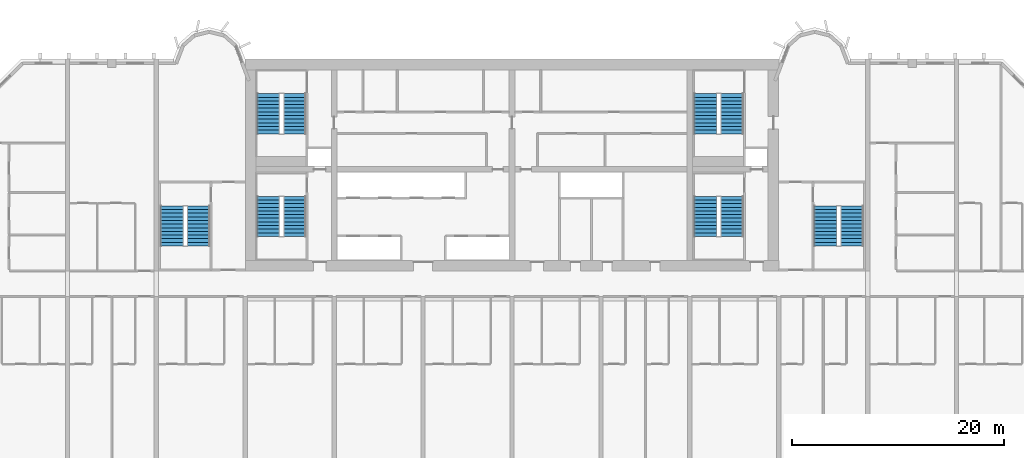
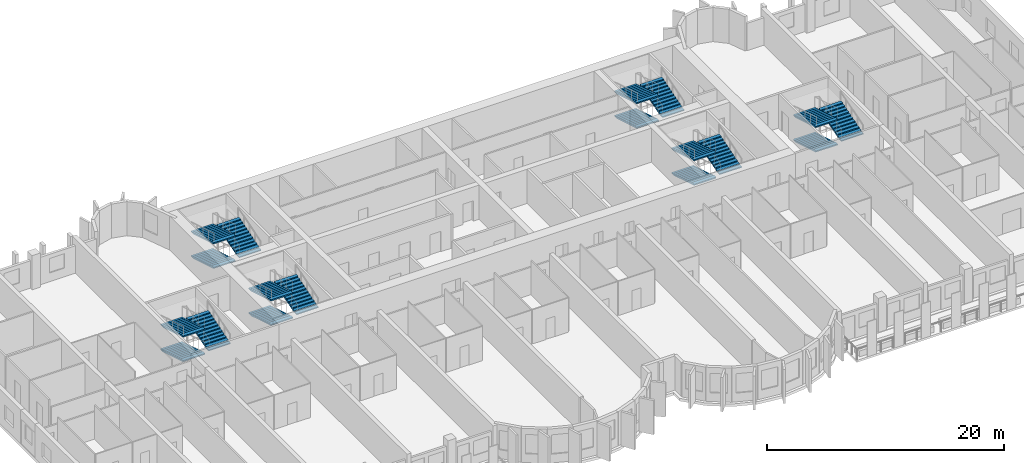
# One storey, part 12 of 15: 18 stair flights, 6 elements without a shape of their own.
"""IFC4 building model written with IfcOpenShell, lengths in metres."""

from ifc_helpers import new_model, si_unit, direction, frame, origin, place, context, subcontext, project, spatial, polyline, outline, extrude, source, transform, mapped, material, type_object, element, aggregate, save


model = new_model("IFC4")

# Units and contexts
model_context = context("Model", 3, precision=1e-05, world=origin(), true_north=direction((0.0, 1.0)))
body_context = subcontext(model_context, "Body", "Model", "MODEL_VIEW")
ifc_project = project(units=[si_unit("LENGTHUNIT", "METRE"), si_unit("AREAUNIT", "SQUARE_METRE"), si_unit("VOLUMEUNIT", "CUBIC_METRE"), si_unit("PLANEANGLEUNIT", "RADIAN"), si_unit("MASSUNIT", "GRAM", prefix="KILO")], contexts=[model_context])

# Site, building, storey
site_placement = place(None, origin())
site = spatial("IfcSite", under=ifc_project, at=site_placement, CompositionType="ELEMENT")
building_placement = place(site_placement, origin())
building = spatial("IfcBuilding", under=site, at=building_placement, Name="Vanashikhar Sky Hotel", CompositionType="ELEMENT")
storey_placement = place(building_placement, frame((0.0, 0.0, 46.800048828125)))
storey = spatial("IfcBuildingStorey", under=building, at=storey_placement, Name="L10", CompositionType="ELEMENT", Elevation=46.800048828125)

# Stair, stair flights
ifc_material = material(Name="Concrete M40", Category="concrete")
stair_type = type_object("IfcStairType", Name="Exit stair 2150", PredefinedType="DOUBLE_RETURN_STAIR", material=ifc_material)
stair_1_placement = place(storey_placement, origin())
stair_1 = element("IfcStair", 1, at=stair_1_placement, inside=storey, type_object=stair_type, Name="L10 Exit stair 1", PredefinedType="DOUBLE_RETURN_STAIR")
stair_flight_type = type_object("IfcStairFlightType", Name="Stair flight 2150", PredefinedType="STRAIGHT", material=ifc_material)
shared_shape = source(origin(), body_context, "Body", "SweptSolid", [
    extrude(outline(polyline([(0.0, 0.0), (0.0, 0.10546875), (0.345458984375, 0.10546875), (0.345458984375, 0.211181640625), (0.69091796875, 0.211181640625), (0.69091796875, 0.316650390625), (1.036376953125, 0.316650390625), (1.036376953125, 0.422119140625), (1.3818359375, 0.422119140625), (1.3818359375, 0.52783203125), (1.727294921875, 0.52783203125), (1.727294921875, 0.63330078125), (2.07275390625, 0.63330078125), (2.07275390625, 0.73876953125), (2.418212890625, 0.73876953125), (2.418212890625, 0.844482421875), (2.763671875, 0.844482421875), (2.763671875, 0.949951171875), (3.109130859375, 0.949951171875), (3.109130859375, 1.0556640625), (3.45458984375, 1.0556640625), (3.45458984375, 1.1611328125), (3.800048828125, 1.1611328125), (3.800048828125, 1.2666015625), (3.800048828125, 1.035400390625), (0.4111328125, 0.0), (0.0, 0.0)])), frame((0.0, 1.074951171875, 0.0), z_axis=(0.0, -1.0, 0.0), x_axis=(1.0, 0.0, 0.0)), (0.0, 0.0, 1.0), 2.14990234375),
])
stair_flight_1_placement = place(storey_placement, frame((27.375, 29.050048828125, 0.0), z_axis=(0.0, 0.0, 1.0), x_axis=(0.0, -1.0, 0.0)))
stair_flight_1 = element("IfcStairFlight", 2, at=stair_flight_1_placement, type_object=stair_flight_type, Name="ST-C1 flight 1", NumberOfRisers=12, NumberOfTreads=11, PredefinedType="STRAIGHT", RiserHeight=0.105555556, TreadLength=0.345454545, context=body_context, shape_type="MappedRepresentation", body=[
    mapped(shared_shape, transform((0.0, 0.0, 0.0), scale=1.0)),
])
stair_flight_2_placement = place(storey_placement, frame((29.875, 25.25, 1.2666015625), z_axis=(0.0, 0.0, 1.0), x_axis=(0.0, 1.0, 0.0)))
stair_flight_2 = element("IfcStairFlight", 3, at=stair_flight_2_placement, type_object=stair_flight_type, Name="ST-C1 flight 2", NumberOfRisers=12, NumberOfTreads=11, PredefinedType="STRAIGHT", RiserHeight=0.105555556, TreadLength=0.345454545, context=body_context, shape_type="MappedRepresentation", body=[
    mapped(shared_shape, transform((0.0, 0.0, 0.0), scale=1.0)),
])
stair_flight_3_placement = place(storey_placement, frame((27.375, 29.050048828125, 2.533203125), z_axis=(0.0, 0.0, 1.0), x_axis=(0.0, -1.0, 0.0)))
stair_flight_3 = element("IfcStairFlight", 4, at=stair_flight_3_placement, type_object=stair_flight_type, Name="ST-C1 flight 3", NumberOfRisers=12, NumberOfTreads=11, PredefinedType="STRAIGHT", RiserHeight=0.105555556, TreadLength=0.345454545, context=body_context, shape_type="MappedRepresentation", body=[
    mapped(shared_shape, transform((0.0, 0.0, 0.0), scale=1.0)),
])
aggregate(stair_1, [stair_flight_1, stair_flight_2, stair_flight_3])

stair_2_placement = place(storey_placement, origin())
stair_2 = element("IfcStair", 5, at=stair_2_placement, inside=storey, type_object=stair_type, Name="L10 Exit stair 2", PredefinedType="DOUBLE_RETURN_STAIR")
stair_flight_4_placement = place(storey_placement, frame((68.675048828125, 29.050048828125, 0.0), z_axis=(0.0, 0.0, 1.0), x_axis=(0.0, -1.0, 0.0)))
stair_flight_4 = element("IfcStairFlight", 6, at=stair_flight_4_placement, type_object=stair_flight_type, Name="ST-C2 flight 1", NumberOfRisers=12, NumberOfTreads=11, PredefinedType="STRAIGHT", RiserHeight=0.105555556, TreadLength=0.345454545, context=body_context, shape_type="MappedRepresentation", body=[
    mapped(shared_shape, transform((0.0, 0.0, 0.0), scale=1.0)),
])
stair_flight_5_placement = place(storey_placement, frame((71.175048828125, 25.25, 1.2666015625), z_axis=(0.0, 0.0, 1.0), x_axis=(0.0, 1.0, 0.0)))
stair_flight_5 = element("IfcStairFlight", 7, at=stair_flight_5_placement, type_object=stair_flight_type, Name="ST-C2 flight 2", NumberOfRisers=12, NumberOfTreads=11, PredefinedType="STRAIGHT", RiserHeight=0.105555556, TreadLength=0.345454545, context=body_context, shape_type="MappedRepresentation", body=[
    mapped(shared_shape, transform((0.0, 0.0, 0.0), scale=1.0)),
])
stair_flight_6_placement = place(storey_placement, frame((68.675048828125, 29.050048828125, 2.533203125), z_axis=(0.0, 0.0, 1.0), x_axis=(0.0, -1.0, 0.0)))
stair_flight_6 = element("IfcStairFlight", 8, at=stair_flight_6_placement, type_object=stair_flight_type, Name="ST-C2 flight 3", NumberOfRisers=12, NumberOfTreads=11, PredefinedType="STRAIGHT", RiserHeight=0.105555556, TreadLength=0.345454545, context=body_context, shape_type="MappedRepresentation", body=[
    mapped(shared_shape, transform((0.0, 0.0, 0.0), scale=1.0)),
])
aggregate(stair_2, [stair_flight_4, stair_flight_5, stair_flight_6])

stair_3_placement = place(storey_placement, origin())
stair_3 = element("IfcStair", 9, at=stair_3_placement, inside=storey, type_object=stair_type, Name="L10 Exit stair 3", PredefinedType="DOUBLE_RETURN_STAIR")
stair_flight_7_placement = place(storey_placement, frame((18.27490234375, 28.14990234375, 0.0), z_axis=(0.0, 0.0, 1.0), x_axis=(0.0, -1.0, 0.0)))
stair_flight_7 = element("IfcStairFlight", 10, at=stair_flight_7_placement, type_object=stair_flight_type, Name="ST-W flight 1", NumberOfRisers=12, NumberOfTreads=11, PredefinedType="STRAIGHT", RiserHeight=0.105555556, TreadLength=0.345454545, context=body_context, shape_type="MappedRepresentation", body=[
    mapped(shared_shape, transform((0.0, 0.0, 0.0), scale=1.0)),
])
stair_flight_8_placement = place(storey_placement, frame((20.77490234375, 24.35009765625, 1.2666015625), z_axis=(0.0, 0.0, 1.0), x_axis=(0.0, 1.0, 0.0)))
stair_flight_8 = element("IfcStairFlight", 11, at=stair_flight_8_placement, type_object=stair_flight_type, Name="ST-W flight 2", NumberOfRisers=12, NumberOfTreads=11, PredefinedType="STRAIGHT", RiserHeight=0.105555556, TreadLength=0.345454545, context=body_context, shape_type="MappedRepresentation", body=[
    mapped(shared_shape, transform((0.0, 0.0, 0.0), scale=1.0)),
])
stair_flight_9_placement = place(storey_placement, frame((18.27490234375, 28.14990234375, 2.533203125), z_axis=(0.0, 0.0, 1.0), x_axis=(0.0, -1.0, 0.0)))
stair_flight_9 = element("IfcStairFlight", 12, at=stair_flight_9_placement, type_object=stair_flight_type, Name="ST-W flight 3", NumberOfRisers=12, NumberOfTreads=11, PredefinedType="STRAIGHT", RiserHeight=0.105555556, TreadLength=0.345454545, context=body_context, shape_type="MappedRepresentation", body=[
    mapped(shared_shape, transform((0.0, 0.0, 0.0), scale=1.0)),
])
aggregate(stair_3, [stair_flight_7, stair_flight_8, stair_flight_9])

stair_4_placement = place(storey_placement, origin())
stair_4 = element("IfcStair", 13, at=stair_4_placement, inside=storey, type_object=stair_type, Name="L10 Exit stair 4", PredefinedType="DOUBLE_RETURN_STAIR")
stair_flight_10_placement = place(storey_placement, frame((80.02490234375, 28.14990234375, 0.0), z_axis=(0.0, 0.0, 1.0), x_axis=(0.0, -1.0, 0.0)))
stair_flight_10 = element("IfcStairFlight", 14, at=stair_flight_10_placement, type_object=stair_flight_type, Name="ST-E flight 1", NumberOfRisers=12, NumberOfTreads=11, PredefinedType="STRAIGHT", RiserHeight=0.105555556, TreadLength=0.345454545, context=body_context, shape_type="MappedRepresentation", body=[
    mapped(shared_shape, transform((0.0, 0.0, 0.0), scale=1.0)),
])
stair_flight_11_placement = place(storey_placement, frame((82.52490234375, 24.35009765625, 1.2666015625), z_axis=(0.0, 0.0, 1.0), x_axis=(0.0, 1.0, 0.0)))
stair_flight_11 = element("IfcStairFlight", 15, at=stair_flight_11_placement, type_object=stair_flight_type, Name="ST-E flight 2", NumberOfRisers=12, NumberOfTreads=11, PredefinedType="STRAIGHT", RiserHeight=0.105555556, TreadLength=0.345454545, context=body_context, shape_type="MappedRepresentation", body=[
    mapped(shared_shape, transform((0.0, 0.0, 0.0), scale=1.0)),
])
stair_flight_12_placement = place(storey_placement, frame((80.02490234375, 28.14990234375, 2.533203125), z_axis=(0.0, 0.0, 1.0), x_axis=(0.0, -1.0, 0.0)))
stair_flight_12 = element("IfcStairFlight", 16, at=stair_flight_12_placement, type_object=stair_flight_type, Name="ST-E flight 3", NumberOfRisers=12, NumberOfTreads=11, PredefinedType="STRAIGHT", RiserHeight=0.105555556, TreadLength=0.345454545, context=body_context, shape_type="MappedRepresentation", body=[
    mapped(shared_shape, transform((0.0, 0.0, 0.0), scale=1.0)),
])
aggregate(stair_4, [stair_flight_10, stair_flight_11, stair_flight_12])

stair_5_placement = place(storey_placement, origin())
stair_5 = element("IfcStair", 17, at=stair_5_placement, inside=storey, type_object=stair_type, Name="L10 Exit stair 5", PredefinedType="DOUBLE_RETURN_STAIR")
stair_flight_13_placement = place(storey_placement, frame((27.375, 38.75, 0.0), z_axis=(0.0, 0.0, 1.0), x_axis=(0.0, -1.0, 0.0)))
stair_flight_13 = element("IfcStairFlight", 18, at=stair_flight_13_placement, type_object=stair_flight_type, Name="ST-C3 flight 1", NumberOfRisers=12, NumberOfTreads=11, PredefinedType="STRAIGHT", RiserHeight=0.105555556, TreadLength=0.345454545, context=body_context, shape_type="MappedRepresentation", body=[
    mapped(shared_shape, transform((0.0, 0.0, 0.0), scale=1.0)),
])
stair_flight_14_placement = place(storey_placement, frame((29.875, 34.949951171875, 1.2666015625), z_axis=(0.0, 0.0, 1.0), x_axis=(0.0, 1.0, 0.0)))
stair_flight_14 = element("IfcStairFlight", 19, at=stair_flight_14_placement, type_object=stair_flight_type, Name="ST-C3 flight 2", NumberOfRisers=12, NumberOfTreads=11, PredefinedType="STRAIGHT", RiserHeight=0.105555556, TreadLength=0.345454545, context=body_context, shape_type="MappedRepresentation", body=[
    mapped(shared_shape, transform((0.0, 0.0, 0.0), scale=1.0)),
])
stair_flight_15_placement = place(storey_placement, frame((27.375, 38.75, 2.533203125), z_axis=(0.0, 0.0, 1.0), x_axis=(0.0, -1.0, 0.0)))
stair_flight_15 = element("IfcStairFlight", 20, at=stair_flight_15_placement, type_object=stair_flight_type, Name="ST-C3 flight 3", NumberOfRisers=12, NumberOfTreads=11, PredefinedType="STRAIGHT", RiserHeight=0.105555556, TreadLength=0.345454545, context=body_context, shape_type="MappedRepresentation", body=[
    mapped(shared_shape, transform((0.0, 0.0, 0.0), scale=1.0)),
])
aggregate(stair_5, [stair_flight_13, stair_flight_14, stair_flight_15])

stair_6_placement = place(storey_placement, origin())
stair_6 = element("IfcStair", 21, at=stair_6_placement, inside=storey, type_object=stair_type, Name="L10 Exit stair 6", PredefinedType="DOUBLE_RETURN_STAIR")
stair_flight_16_placement = place(storey_placement, frame((68.675048828125, 38.75, 0.0), z_axis=(0.0, 0.0, 1.0), x_axis=(0.0, -1.0, 0.0)))
stair_flight_16 = element("IfcStairFlight", 22, at=stair_flight_16_placement, type_object=stair_flight_type, Name="ST-C4 flight 1", NumberOfRisers=12, NumberOfTreads=11, PredefinedType="STRAIGHT", RiserHeight=0.105555556, TreadLength=0.345454545, context=body_context, shape_type="MappedRepresentation", body=[
    mapped(shared_shape, transform((0.0, 0.0, 0.0), scale=1.0)),
])
stair_flight_17_placement = place(storey_placement, frame((71.175048828125, 34.949951171875, 1.2666015625), z_axis=(0.0, 0.0, 1.0), x_axis=(0.0, 1.0, 0.0)))
stair_flight_17 = element("IfcStairFlight", 23, at=stair_flight_17_placement, type_object=stair_flight_type, Name="ST-C4 flight 2", NumberOfRisers=12, NumberOfTreads=11, PredefinedType="STRAIGHT", RiserHeight=0.105555556, TreadLength=0.345454545, context=body_context, shape_type="MappedRepresentation", body=[
    mapped(shared_shape, transform((0.0, 0.0, 0.0), scale=1.0)),
])
stair_flight_18_placement = place(storey_placement, frame((68.675048828125, 38.75, 2.533203125), z_axis=(0.0, 0.0, 1.0), x_axis=(0.0, -1.0, 0.0)))
stair_flight_18 = element("IfcStairFlight", 24, at=stair_flight_18_placement, type_object=stair_flight_type, Name="ST-C4 flight 3", NumberOfRisers=12, NumberOfTreads=11, PredefinedType="STRAIGHT", RiserHeight=0.105555556, TreadLength=0.345454545, context=body_context, shape_type="MappedRepresentation", body=[
    mapped(shared_shape, transform((0.0, 0.0, 0.0), scale=1.0)),
])
aggregate(stair_6, [stair_flight_16, stair_flight_17, stair_flight_18])

save(model, "model.ifc")
